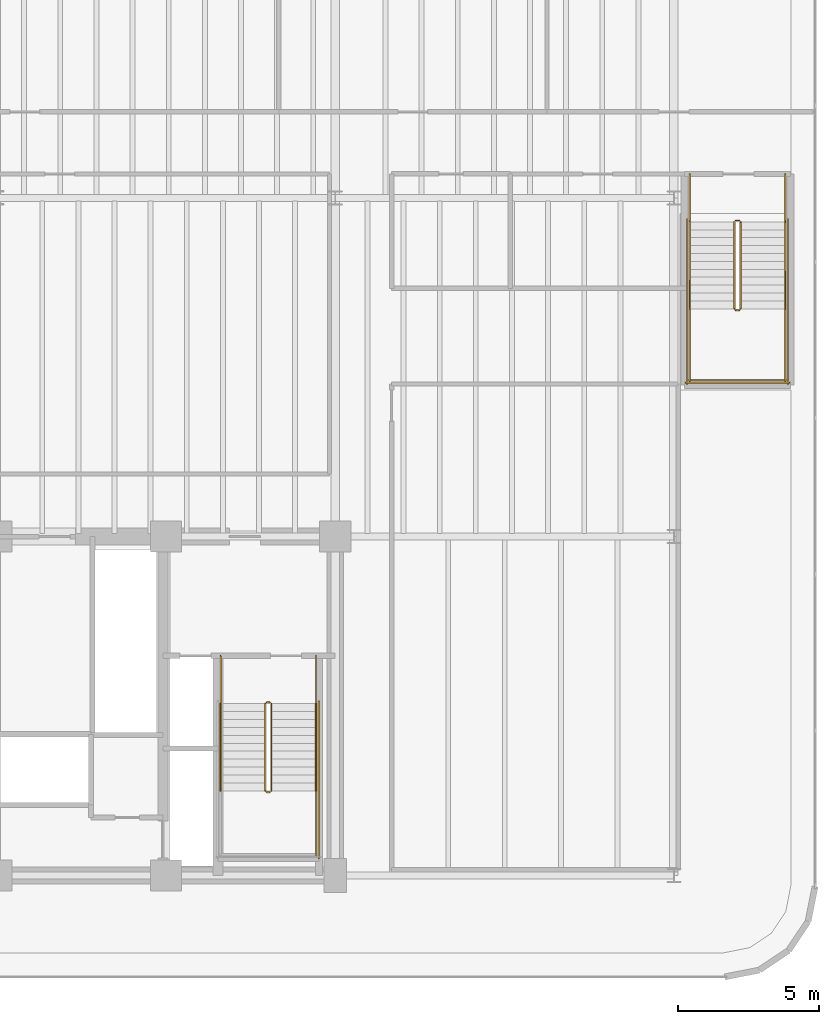
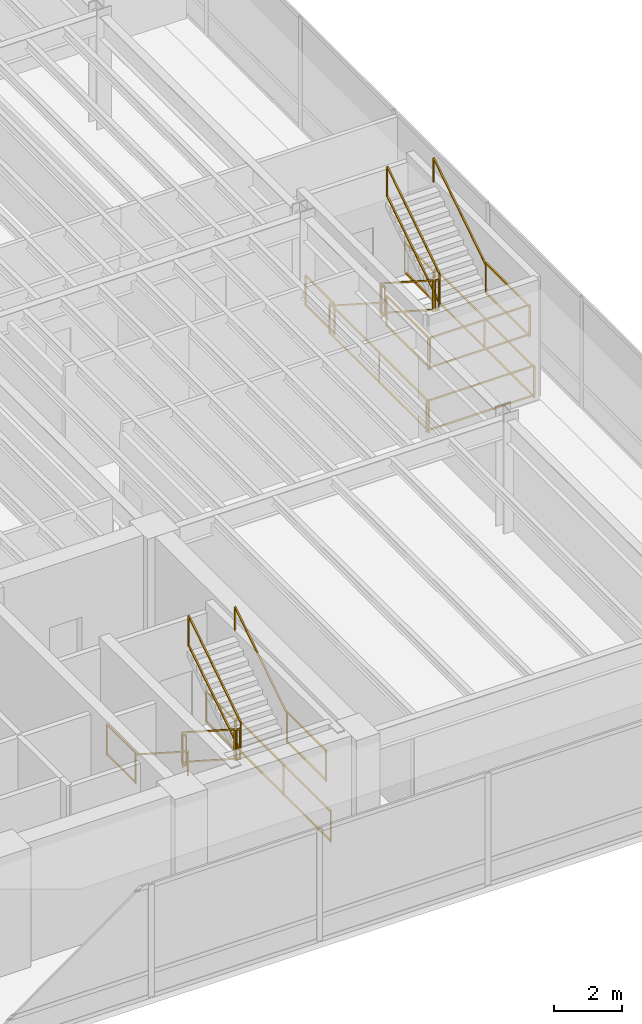
# One storey, part 19 of 19: 24 railings.
"""IFC4 building model written with IfcOpenShell, lengths in metres."""

from ifc_helpers import new_model, si_unit, direction, frame, origin, origin_2d, place, context, subcontext, project, spatial, rectangle, extrude, material, layer, layer_set, type_object, element, save


model = new_model("IFC4")

# Units and contexts
model_context = context("Model", 3, precision=1e-05, world=origin(), true_north=direction((0.0, 1.0)))
body_context = subcontext(model_context, "Body", "Model", "MODEL_VIEW")
ifc_project = project(units=[si_unit("LENGTHUNIT", "METRE"), si_unit("AREAUNIT", "SQUARE_METRE"), si_unit("VOLUMEUNIT", "CUBIC_METRE"), si_unit("PLANEANGLEUNIT", "RADIAN"), si_unit("MASSUNIT", "GRAM", prefix="KILO")], contexts=[model_context])

# Site, building, storey
site_placement = place(None, origin())
site = spatial("IfcSite", under=ifc_project, at=site_placement, CompositionType="ELEMENT")
building_placement = place(site_placement, origin())
building = spatial("IfcBuilding", under=site, at=building_placement, Name="Brelvock Crest Care Tower", CompositionType="ELEMENT")
storey_placement = place(building_placement, frame((0.0, 0.0, 14.0400390625)))
storey = spatial("IfcBuildingStorey", under=building, at=storey_placement, Name="L03", CompositionType="ELEMENT", Elevation=14.0400390625)

# Railings
ifc_material = material(Name="Steel Grade 350", Category="steel")
ifc_layer_1 = layer(ifc_material, 0.050048828125, Name="RL-STG1")
ifc_layer_set_1 = layer_set([ifc_layer_1], Name="Steel Grade 350")
railing_type_1 = type_object("IfcRailingType", Name="RL-STG1", PredefinedType="GUARDRAIL", material=ifc_layer_set_1)
railing_1_placement = place(storey_placement, frame((45.52001953125, 12.080078125, 0.179931640625)))
element("IfcRailing", 1, at=railing_1_placement, inside=storey, type_object=railing_type_1, Name="L03 ST-2 stair guard 1", PredefinedType="GUARDRAIL", context=body_context, shape_type="SweptSolid", body=[
    extrude(rectangle(XDim=0.048095703125, YDim=0.048095703125, at=origin_2d()), frame((0.0, -0.001708984375, 1.116943359375), z_axis=(0.0, -0.84118714077, 0.540744111576), x_axis=(1.0, 0.0, 0.0)), (0.0, 0.0, 1.0), 3.657470703125),
    extrude(rectangle(XDim=0.048095703125, YDim=0.048095703125, at=origin_2d()), frame((0.0, -0.001708984375, 0.05615234375), z_axis=(0.0, -0.84118714077, 0.540744111576), x_axis=(1.0, 0.0, 0.0)), (0.0, 0.0, 1.0), 3.657470703125),
    extrude(rectangle(XDim=0.0419921875, YDim=0.0419921875, at=origin_2d()), origin(), (0.0, 0.0, 1.0), 1.08984375),
    extrude(rectangle(XDim=0.0419921875, YDim=0.0419921875, at=origin_2d()), frame((0.0, -3.080078125, 1.97998046875)), (0.0, 0.0, 1.0), 1.08984375),
])
railing_2_placement = place(storey_placement, frame((45.570068359375, 8.949951171875, 2.159912109375)))
element("IfcRailing", 2, at=railing_2_placement, inside=storey, type_object=railing_type_1, Name="L03 ST-2 stair guard 2", PredefinedType="GUARDRAIL", context=body_context, shape_type="SweptSolid", body=[
    extrude(rectangle(XDim=0.048095703125, YDim=0.048095703125, at=origin_2d()), frame((0.001953125, 0.0, 1.11572265625), z_axis=(1.0, 0.0, 0.0), x_axis=(0.0, 1.0, 0.0)), (0.0, 0.0, 1.0), 0.115966796875),
    extrude(rectangle(XDim=0.048095703125, YDim=0.048095703125, at=origin_2d()), frame((0.001953125, 0.0, 0.054931640625), z_axis=(1.0, 0.0, 0.0), x_axis=(0.0, 1.0, 0.0)), (0.0, 0.0, 1.0), 0.115966796875),
    extrude(rectangle(XDim=0.0419921875, YDim=0.0419921875, at=origin_2d()), origin(), (0.0, 0.0, 1.0), 1.08984375),
    extrude(rectangle(XDim=0.0419921875, YDim=0.0419921875, at=origin_2d()), frame((0.119873046875, 0.0, 0.0)), (0.0, 0.0, 1.0), 1.08984375),
])
railing_3_placement = place(storey_placement, frame((47.320068359375, 9.0, 2.159912109375)))
element("IfcRailing", 3, at=railing_3_placement, inside=storey, type_object=railing_type_1, Name="L03 ST-2 stair guard 4", PredefinedType="GUARDRAIL", context=body_context, shape_type="SweptSolid", body=[
    extrude(rectangle(XDim=0.048095703125, YDim=0.048095703125, at=origin_2d()), frame((0.0, -0.001953125, 1.11572265625), z_axis=(0.0, -1.0, 0.0), x_axis=(1.0, 0.0, 0.0)), (0.0, 0.0, 1.0), 2.296142578125),
    extrude(rectangle(XDim=0.048095703125, YDim=0.048095703125, at=origin_2d()), frame((0.0, -0.001953125, 0.054931640625), z_axis=(0.0, -1.0, 0.0), x_axis=(1.0, 0.0, 0.0)), (0.0, 0.0, 1.0), 2.296142578125),
    extrude(rectangle(XDim=0.0419921875, YDim=0.0419921875, at=origin_2d()), origin(), (0.0, 0.0, 1.0), 1.08984375),
    extrude(rectangle(XDim=0.0419921875, YDim=0.0419921875, at=origin_2d()), frame((0.0, -2.300048828125, 0.0)), (0.0, 0.0, 1.0), 1.08984375),
])
railing_4_placement = place(storey_placement, frame((45.739990234375, 9.0, 2.33984375)))
element("IfcRailing", 4, at=railing_4_placement, inside=storey, type_object=railing_type_1, Name="L03 ST-2 stair guard 6", PredefinedType="GUARDRAIL", context=body_context, shape_type="SweptSolid", body=[
    extrude(rectangle(XDim=0.048095703125, YDim=0.048095703125, at=origin_2d()), frame((0.0, 0.001708984375, 1.116943359375), z_axis=(0.0, 0.84115681173, 0.540791288835), x_axis=(-1.0, 0.0, 0.0)), (0.0, 0.0, 1.0), 3.65771484375),
    extrude(rectangle(XDim=0.048095703125, YDim=0.048095703125, at=origin_2d()), frame((0.0, 0.001708984375, 0.05615234375), z_axis=(0.0, 0.84115681173, 0.540791288835), x_axis=(-1.0, 0.0, 0.0)), (0.0, 0.0, 1.0), 3.65771484375),
    extrude(rectangle(XDim=0.0419921875, YDim=0.0419921875, at=origin_2d()), origin(), (0.0, 0.0, 1.0), 1.08984375),
    extrude(rectangle(XDim=0.0419921875, YDim=0.0419921875, at=origin_2d()), frame((0.0, 3.080078125, 1.980224609375)), (0.0, 0.0, 1.0), 1.08984375),
])
railing_5_placement = place(storey_placement, frame((45.570068359375, 12.1298828125, 0.0)))
element("IfcRailing", 5, at=railing_5_placement, inside=storey, type_object=railing_type_1, Name="L03 ST-2 stair guard 7", PredefinedType="GUARDRAIL", context=body_context, shape_type="SweptSolid", body=[
    extrude(rectangle(XDim=0.048095703125, YDim=0.048095703125, at=origin_2d()), frame((0.001953125, 0.0, 1.11572265625), z_axis=(1.0, 0.0, 0.0), x_axis=(0.0, 1.0, 0.0)), (0.0, 0.0, 1.0), 0.115966796875),
    extrude(rectangle(XDim=0.048095703125, YDim=0.048095703125, at=origin_2d()), frame((0.001953125, 0.0, 0.054931640625), z_axis=(1.0, 0.0, 0.0), x_axis=(0.0, 1.0, 0.0)), (0.0, 0.0, 1.0), 0.115966796875),
    extrude(rectangle(XDim=0.0419921875, YDim=0.0419921875, at=origin_2d()), origin(), (0.0, 0.0, 1.0), 1.08984375),
    extrude(rectangle(XDim=0.0419921875, YDim=0.0419921875, at=origin_2d()), frame((0.119873046875, 0.0, 0.0)), (0.0, 0.0, 1.0), 1.08984375),
])
for number, where, name in (
    (6, (43.93994140625, 13.780029296875, 0.0), "L03 ST-2 stair guard 8"),
    (7, (47.320068359375, 13.780029296875, 0.0), "L03 ST-2 stair guard 9"),
):
    element("IfcRailing", number, at=place(storey_placement, frame(where)), inside=storey, type_object=railing_type_1, Name=name, PredefinedType="GUARDRAIL", context=body_context, shape_type="SweptSolid", body=[
        extrude(rectangle(XDim=0.048095703125, YDim=0.048095703125, at=origin_2d()), frame((0.0, -0.001953125, 1.11572265625), z_axis=(0.0, -1.0, 0.0), x_axis=(1.0, 0.0, 0.0)), (0.0, 0.0, 1.0), 1.696044921875),
        extrude(rectangle(XDim=0.048095703125, YDim=0.048095703125, at=origin_2d()), frame((0.0, -0.001953125, 0.054931640625), z_axis=(0.0, -1.0, 0.0), x_axis=(1.0, 0.0, 0.0)), (0.0, 0.0, 1.0), 1.696044921875),
        extrude(rectangle(XDim=0.0419921875, YDim=0.0419921875, at=origin_2d()), origin(), (0.0, 0.0, 1.0), 1.08984375),
        extrude(rectangle(XDim=0.0419921875, YDim=0.0419921875, at=origin_2d()), frame((0.0, -1.699951171875, 0.0)), (0.0, 0.0, 1.0), 1.08984375),
    ])
railing_6_placement = place(storey_placement, frame((47.419921875, 12.179931640625, 0.0)))
element("IfcRailing", 8, at=railing_6_placement, inside=storey, type_object=railing_type_1, Name="L03 ST-2 stair guard 11", PredefinedType="GUARDRAIL", context=body_context, shape_type="SweptSolid", body=[
    extrude(rectangle(XDim=0.048095703125, YDim=0.048095703125, at=origin_2d()), frame((0.0, -0.001953125, 1.11572265625), z_axis=(0.0, -1.0, 0.0), x_axis=(1.0, 0.0, 0.0)), (0.0, 0.0, 1.0), 5.575927734375),
    extrude(rectangle(XDim=0.048095703125, YDim=0.048095703125, at=origin_2d()), frame((0.0, -0.001953125, 0.054931640625), z_axis=(0.0, -1.0, 0.0), x_axis=(1.0, 0.0, 0.0)), (0.0, 0.0, 1.0), 5.575927734375),
    extrude(rectangle(XDim=0.0419921875, YDim=0.0419921875, at=origin_2d()), origin(), (0.0, 0.0, 1.0), 1.08984375),
    extrude(rectangle(XDim=0.0419921875, YDim=0.0419921875, at=origin_2d()), frame((0.0, -2.7900390625, 0.0)), (0.0, 0.0, 1.0), 1.08984375),
    extrude(rectangle(XDim=0.0419921875, YDim=0.0419921875, at=origin_2d()), frame((0.0, -5.579833984375, 0.0)), (0.0, 0.0, 1.0), 1.08984375),
])
railing_7_placement = place(storey_placement, frame((62.139892578125, 29.14990234375, 0.179931640625)))
element("IfcRailing", 9, at=railing_7_placement, inside=storey, type_object=railing_type_1, Name="L03 ST-4 stair guard 1", PredefinedType="GUARDRAIL", context=body_context, shape_type="SweptSolid", body=[
    extrude(rectangle(XDim=0.048095703125, YDim=0.048095703125, at=origin_2d()), frame((0.0, -0.001708984375, 1.116943359375), z_axis=(0.0, -0.841167642724, 0.540774441735), x_axis=(1.0, 0.0, 0.0)), (0.0, 0.0, 1.0), 3.657470703125),
    extrude(rectangle(XDim=0.048095703125, YDim=0.048095703125, at=origin_2d()), frame((0.0, -0.001708984375, 0.05615234375), z_axis=(0.0, -0.841167642724, 0.540774441735), x_axis=(1.0, 0.0, 0.0)), (0.0, 0.0, 1.0), 3.657470703125),
    extrude(rectangle(XDim=0.0419921875, YDim=0.0419921875, at=origin_2d()), origin(), (0.0, 0.0, 1.0), 1.08984375),
    extrude(rectangle(XDim=0.0419921875, YDim=0.0419921875, at=origin_2d()), frame((0.0, -3.079833984375, 1.97998046875)), (0.0, 0.0, 1.0), 1.08984375),
])
railing_8_placement = place(storey_placement, frame((62.18994140625, 26.02001953125, 2.159912109375)))
element("IfcRailing", 10, at=railing_8_placement, inside=storey, type_object=railing_type_1, Name="L03 ST-4 stair guard 2", PredefinedType="GUARDRAIL", context=body_context, shape_type="SweptSolid", body=[
    extrude(rectangle(XDim=0.048095703125, YDim=0.048095703125, at=origin_2d()), frame((0.001953125, 0.0, 1.11572265625), z_axis=(1.0, 0.0, 0.0), x_axis=(0.0, 1.0, 0.0)), (0.0, 0.0, 1.0), 0.1162109375),
    extrude(rectangle(XDim=0.048095703125, YDim=0.048095703125, at=origin_2d()), frame((0.001953125, 0.0, 0.054931640625), z_axis=(1.0, 0.0, 0.0), x_axis=(0.0, 1.0, 0.0)), (0.0, 0.0, 1.0), 0.1162109375),
    extrude(rectangle(XDim=0.0419921875, YDim=0.0419921875, at=origin_2d()), origin(), (0.0, 0.0, 1.0), 1.08984375),
    extrude(rectangle(XDim=0.0419921875, YDim=0.0419921875, at=origin_2d()), frame((0.1201171875, 0.0, 0.0)), (0.0, 0.0, 1.0), 1.08984375),
])
for number, where, name in (
    (11, (60.56005859375, 26.070068359375, 2.159912109375), "L03 ST-4 stair guard 3"),
    (12, (63.93994140625, 26.070068359375, 2.159912109375), "L03 ST-4 stair guard 4"),
):
    element("IfcRailing", number, at=place(storey_placement, frame(where)), inside=storey, type_object=railing_type_1, Name=name, PredefinedType="GUARDRAIL", context=body_context, shape_type="SweptSolid", body=[
        extrude(rectangle(XDim=0.048095703125, YDim=0.048095703125, at=origin_2d()), frame((0.0, -0.001953125, 1.11572265625), z_axis=(0.0, -1.0, 0.0), x_axis=(1.0, 0.0, 0.0)), (0.0, 0.0, 1.0), 2.566162109375),
        extrude(rectangle(XDim=0.048095703125, YDim=0.048095703125, at=origin_2d()), frame((0.0, -0.001953125, 0.054931640625), z_axis=(0.0, -1.0, 0.0), x_axis=(1.0, 0.0, 0.0)), (0.0, 0.0, 1.0), 2.566162109375),
        extrude(rectangle(XDim=0.0419921875, YDim=0.0419921875, at=origin_2d()), origin(), (0.0, 0.0, 1.0), 1.08984375),
        extrude(rectangle(XDim=0.0419921875, YDim=0.0419921875, at=origin_2d()), frame((0.0, -2.570068359375, 0.0)), (0.0, 0.0, 1.0), 1.08984375),
    ])
railing_9_placement = place(storey_placement, frame((60.510009765625, 23.550048828125, 2.159912109375)))
element("IfcRailing", 13, at=railing_9_placement, inside=storey, type_object=railing_type_1, Name="L03 ST-4 stair guard 5", PredefinedType="GUARDRAIL", context=body_context, shape_type="SweptSolid", body=[
    extrude(rectangle(XDim=0.048095703125, YDim=0.048095703125, at=origin_2d()), frame((0.001953125, 0.0, 1.11572265625), z_axis=(1.0, 0.0, 0.0), x_axis=(0.0, 1.0, 0.0)), (0.0, 0.0, 1.0), 3.47607421875),
    extrude(rectangle(XDim=0.048095703125, YDim=0.048095703125, at=origin_2d()), frame((0.001953125, 0.0, 0.054931640625), z_axis=(1.0, 0.0, 0.0), x_axis=(0.0, 1.0, 0.0)), (0.0, 0.0, 1.0), 3.47607421875),
    extrude(rectangle(XDim=0.0419921875, YDim=0.0419921875, at=origin_2d()), origin(), (0.0, 0.0, 1.0), 1.08984375),
    extrude(rectangle(XDim=0.0419921875, YDim=0.0419921875, at=origin_2d()), frame((3.47998046875, 0.0, 0.0)), (0.0, 0.0, 1.0), 1.08984375),
])
railing_10_placement = place(storey_placement, frame((62.360107421875, 26.070068359375, 2.33984375)))
element("IfcRailing", 14, at=railing_10_placement, inside=storey, type_object=railing_type_1, Name="L03 ST-4 stair guard 6", PredefinedType="GUARDRAIL", context=body_context, shape_type="SweptSolid", body=[
    extrude(rectangle(XDim=0.048095703125, YDim=0.048095703125, at=origin_2d()), frame((0.0, 0.001708984375, 1.116943359375), z_axis=(0.0, 0.841137310985, 0.540821619453), x_axis=(-1.0, 0.0, 0.0)), (0.0, 0.0, 1.0), 3.657470703125),
    extrude(rectangle(XDim=0.048095703125, YDim=0.048095703125, at=origin_2d()), frame((0.0, 0.001708984375, 0.05615234375), z_axis=(0.0, 0.841137310985, 0.540821619453), x_axis=(-1.0, 0.0, 0.0)), (0.0, 0.0, 1.0), 3.657470703125),
    extrude(rectangle(XDim=0.0419921875, YDim=0.0419921875, at=origin_2d()), origin(), (0.0, 0.0, 1.0), 1.08984375),
    extrude(rectangle(XDim=0.0419921875, YDim=0.0419921875, at=origin_2d()), frame((0.0, 3.079833984375, 1.980224609375)), (0.0, 0.0, 1.0), 1.08984375),
])
railing_11_placement = place(storey_placement, frame((62.18994140625, 29.199951171875, 0.0)))
element("IfcRailing", 15, at=railing_11_placement, inside=storey, type_object=railing_type_1, Name="L03 ST-4 stair guard 7", PredefinedType="GUARDRAIL", context=body_context, shape_type="SweptSolid", body=[
    extrude(rectangle(XDim=0.048095703125, YDim=0.048095703125, at=origin_2d()), frame((0.001953125, 0.0, 1.11572265625), z_axis=(1.0, 0.0, 0.0), x_axis=(0.0, 1.0, 0.0)), (0.0, 0.0, 1.0), 0.1162109375),
    extrude(rectangle(XDim=0.048095703125, YDim=0.048095703125, at=origin_2d()), frame((0.001953125, 0.0, 0.054931640625), z_axis=(1.0, 0.0, 0.0), x_axis=(0.0, 1.0, 0.0)), (0.0, 0.0, 1.0), 0.1162109375),
    extrude(rectangle(XDim=0.0419921875, YDim=0.0419921875, at=origin_2d()), origin(), (0.0, 0.0, 1.0), 1.08984375),
    extrude(rectangle(XDim=0.0419921875, YDim=0.0419921875, at=origin_2d()), frame((0.1201171875, 0.0, 0.0)), (0.0, 0.0, 1.0), 1.08984375),
])
for number, where, name in (
    (16, (60.56005859375, 30.85009765625, 0.0), "L03 ST-4 stair guard 8"),
    (17, (63.93994140625, 30.85009765625, 0.0), "L03 ST-4 stair guard 9"),
):
    element("IfcRailing", number, at=place(storey_placement, frame(where)), inside=storey, type_object=railing_type_1, Name=name, PredefinedType="GUARDRAIL", context=body_context, shape_type="SweptSolid", body=[
        extrude(rectangle(XDim=0.048095703125, YDim=0.048095703125, at=origin_2d()), frame((0.0, -0.001953125, 1.11572265625), z_axis=(0.0, -1.0, 0.0), x_axis=(1.0, 0.0, 0.0)), (0.0, 0.0, 1.0), 1.6962890625),
        extrude(rectangle(XDim=0.048095703125, YDim=0.048095703125, at=origin_2d()), frame((0.0, -0.001953125, 0.054931640625), z_axis=(0.0, -1.0, 0.0), x_axis=(1.0, 0.0, 0.0)), (0.0, 0.0, 1.0), 1.6962890625),
        extrude(rectangle(XDim=0.0419921875, YDim=0.0419921875, at=origin_2d()), origin(), (0.0, 0.0, 1.0), 1.08984375),
        extrude(rectangle(XDim=0.0419921875, YDim=0.0419921875, at=origin_2d()), frame((0.0, -1.7001953125, 0.0)), (0.0, 0.0, 1.0), 1.08984375),
    ])
for number, where, name in (
    (18, (60.4599609375, 29.25, 0.0), "L03 ST-4 stair guard 10"),
    (19, (64.0400390625, 29.25, 0.0), "L03 ST-4 stair guard 11"),
):
    element("IfcRailing", number, at=place(storey_placement, frame(where)), inside=storey, type_object=railing_type_1, Name=name, PredefinedType="GUARDRAIL", context=body_context, shape_type="SweptSolid", body=[
        extrude(rectangle(XDim=0.048095703125, YDim=0.048095703125, at=origin_2d()), frame((0.0, -0.001953125, 1.11572265625), z_axis=(0.0, -1.0, 0.0), x_axis=(1.0, 0.0, 0.0)), (0.0, 0.0, 1.0), 5.84619140625),
        extrude(rectangle(XDim=0.048095703125, YDim=0.048095703125, at=origin_2d()), frame((0.0, -0.001953125, 0.054931640625), z_axis=(0.0, -1.0, 0.0), x_axis=(1.0, 0.0, 0.0)), (0.0, 0.0, 1.0), 5.84619140625),
        extrude(rectangle(XDim=0.0419921875, YDim=0.0419921875, at=origin_2d()), origin(), (0.0, 0.0, 1.0), 1.08984375),
        extrude(rectangle(XDim=0.0419921875, YDim=0.0419921875, at=origin_2d()), frame((0.0, -2.925048828125, 0.0)), (0.0, 0.0, 1.0), 1.08984375),
        extrude(rectangle(XDim=0.0419921875, YDim=0.0419921875, at=origin_2d()), frame((0.0, -5.85009765625, 0.0)), (0.0, 0.0, 1.0), 1.08984375),
    ])
railing_12_placement = place(storey_placement, frame((60.409912109375, 23.449951171875, 0.0)))
element("IfcRailing", 20, at=railing_12_placement, inside=storey, type_object=railing_type_1, Name="L03 ST-4 stair guard 12", PredefinedType="GUARDRAIL", context=body_context, shape_type="SweptSolid", body=[
    extrude(rectangle(XDim=0.048095703125, YDim=0.048095703125, at=origin_2d()), frame((0.001953125, 0.0, 1.11572265625), z_axis=(1.0, 0.0, 0.0), x_axis=(0.0, 1.0, 0.0)), (0.0, 0.0, 1.0), 3.67626953125),
    extrude(rectangle(XDim=0.048095703125, YDim=0.048095703125, at=origin_2d()), frame((0.001953125, 0.0, 0.054931640625), z_axis=(1.0, 0.0, 0.0), x_axis=(0.0, 1.0, 0.0)), (0.0, 0.0, 1.0), 3.67626953125),
    extrude(rectangle(XDim=0.0419921875, YDim=0.0419921875, at=origin_2d()), origin(), (0.0, 0.0, 1.0), 1.08984375),
    extrude(rectangle(XDim=0.0419921875, YDim=0.0419921875, at=origin_2d()), frame((3.68017578125, 0.0, 0.0)), (0.0, 0.0, 1.0), 1.08984375),
])
ifc_layer_2 = layer(ifc_material, 0.048095703125, Name="RL-STH1")
ifc_layer_set_2 = layer_set([ifc_layer_2], Name="Steel Grade 350")
railing_type_2 = type_object("IfcRailingType", Name="RL-STH1", PredefinedType="HANDRAIL", material=ifc_layer_set_2)
railing_13_placement = place(storey_placement, frame((43.93994140625, 12.080078125, 0.179931640625)))
element("IfcRailing", 21, at=railing_13_placement, inside=storey, type_object=railing_type_2, Name="L03 ST-2 stair handrail 1", PredefinedType="HANDRAIL", context=body_context, shape_type="SweptSolid", body=[
    extrude(rectangle(XDim=0.048095703125, YDim=0.048095703125, at=origin_2d()), frame((0.0, -0.001708984375, 0.876953125), z_axis=(0.0, -0.84118714077, 0.540744111576), x_axis=(1.0, 0.0, 0.0)), (0.0, 0.0, 1.0), 3.657470703125),
    extrude(rectangle(XDim=0.0419921875, YDim=0.0419921875, at=origin_2d()), origin(), (0.0, 0.0, 1.0), 0.849853515625),
    extrude(rectangle(XDim=0.0419921875, YDim=0.0419921875, at=origin_2d()), frame((0.0, -3.080078125, 1.97998046875)), (0.0, 0.0, 1.0), 0.849853515625),
])
railing_14_placement = place(storey_placement, frame((47.320068359375, 9.0, 2.33984375)))
element("IfcRailing", 22, at=railing_14_placement, inside=storey, type_object=railing_type_2, Name="L03 ST-2 stair handrail 2", PredefinedType="HANDRAIL", context=body_context, shape_type="SweptSolid", body=[
    extrude(rectangle(XDim=0.048095703125, YDim=0.048095703125, at=origin_2d()), frame((0.0, 0.001708984375, 0.876953125), z_axis=(0.0, 0.84115681173, 0.540791288835), x_axis=(-1.0, 0.0, 0.0)), (0.0, 0.0, 1.0), 3.65771484375),
    extrude(rectangle(XDim=0.0419921875, YDim=0.0419921875, at=origin_2d()), origin(), (0.0, 0.0, 1.0), 0.849853515625),
    extrude(rectangle(XDim=0.0419921875, YDim=0.0419921875, at=origin_2d()), frame((0.0, 3.080078125, 1.980224609375)), (0.0, 0.0, 1.0), 0.849853515625),
])
railing_15_placement = place(storey_placement, frame((60.56005859375, 29.14990234375, 0.179931640625)))
element("IfcRailing", 23, at=railing_15_placement, inside=storey, type_object=railing_type_2, Name="L03 ST-4 stair handrail 1", PredefinedType="HANDRAIL", context=body_context, shape_type="SweptSolid", body=[
    extrude(rectangle(XDim=0.048095703125, YDim=0.048095703125, at=origin_2d()), frame((0.0, -0.001708984375, 0.876953125), z_axis=(0.0, -0.841167642724, 0.540774441735), x_axis=(1.0, 0.0, 0.0)), (0.0, 0.0, 1.0), 3.657470703125),
    extrude(rectangle(XDim=0.0419921875, YDim=0.0419921875, at=origin_2d()), origin(), (0.0, 0.0, 1.0), 0.849853515625),
    extrude(rectangle(XDim=0.0419921875, YDim=0.0419921875, at=origin_2d()), frame((0.0, -3.079833984375, 1.97998046875)), (0.0, 0.0, 1.0), 0.849853515625),
])
railing_16_placement = place(storey_placement, frame((63.93994140625, 26.070068359375, 2.33984375)))
element("IfcRailing", 24, at=railing_16_placement, inside=storey, type_object=railing_type_2, Name="L03 ST-4 stair handrail 2", PredefinedType="HANDRAIL", context=body_context, shape_type="SweptSolid", body=[
    extrude(rectangle(XDim=0.048095703125, YDim=0.048095703125, at=origin_2d()), frame((0.0, 0.001708984375, 0.876953125), z_axis=(0.0, 0.841137310985, 0.540821619453), x_axis=(-1.0, 0.0, 0.0)), (0.0, 0.0, 1.0), 3.657470703125),
    extrude(rectangle(XDim=0.0419921875, YDim=0.0419921875, at=origin_2d()), origin(), (0.0, 0.0, 1.0), 0.849853515625),
    extrude(rectangle(XDim=0.0419921875, YDim=0.0419921875, at=origin_2d()), frame((0.0, 3.079833984375, 1.980224609375)), (0.0, 0.0, 1.0), 0.849853515625),
])

save(model, "model.ifc")
